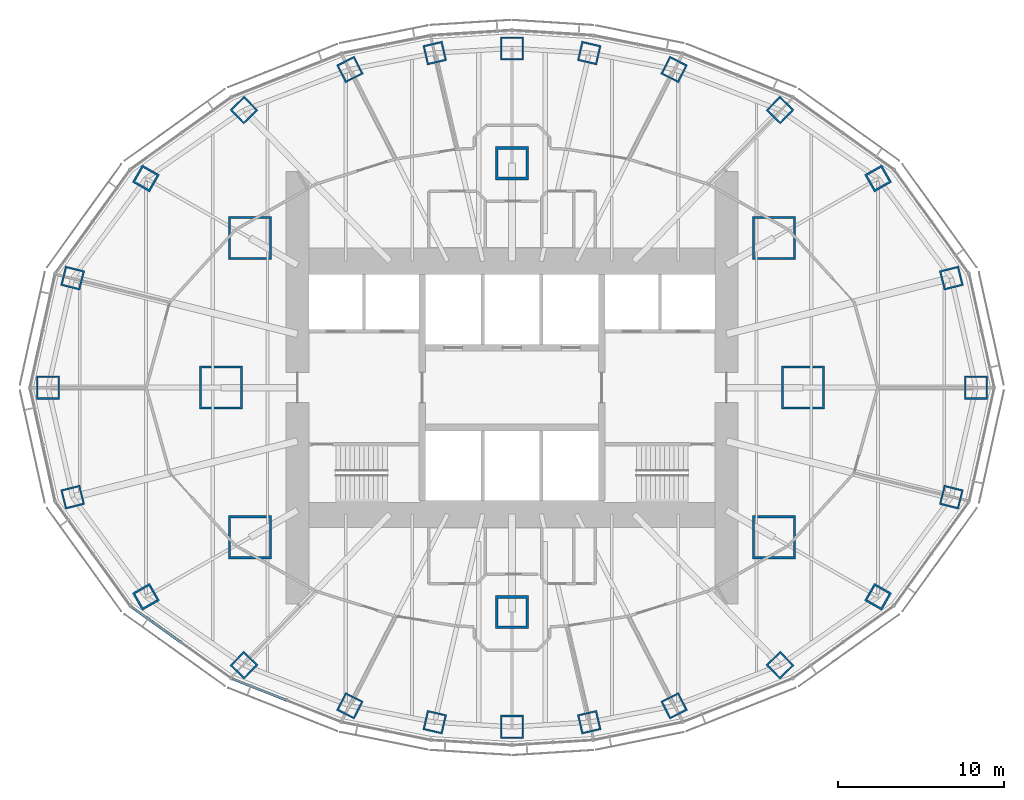
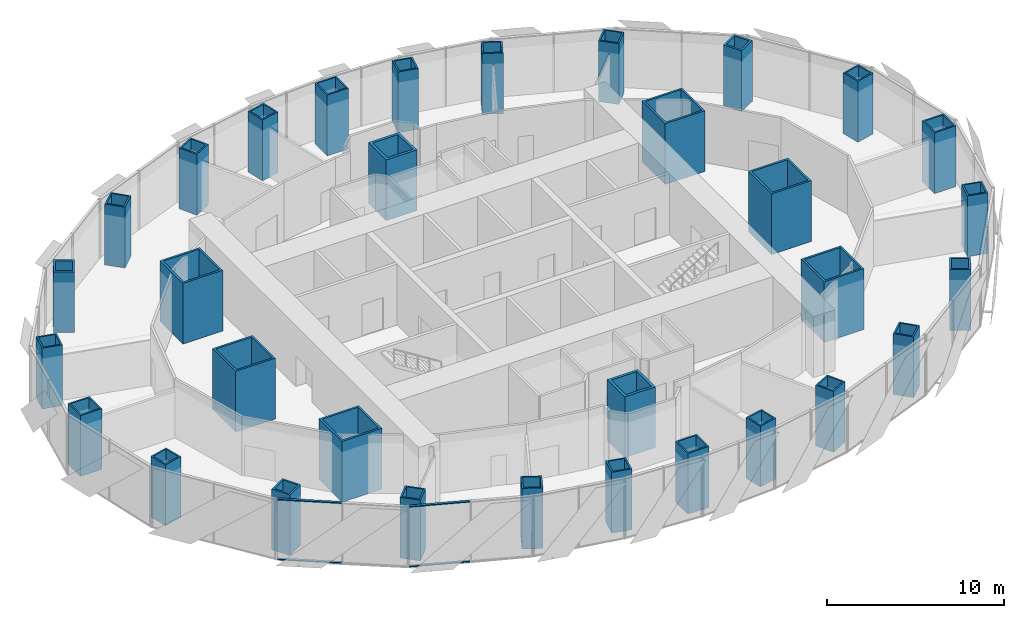
# One storey, part 1 of 18: 32 columns, 4 members, 2 elements without a shape of their own.
"""IFC4 building model written with IfcOpenShell, lengths in metres."""

from ifc_helpers import new_model, si_unit, direction, frame, origin, origin_2d, place, context, subcontext, project, spatial, rectangle, hollow_rectangle, extrude, material, material_profile, profile_set, type_object, element, aggregate, save


model = new_model("IFC4")

# Units and contexts
model_context = context("Model", 3, precision=1e-05, world=origin(), true_north=direction((0.0, 1.0)))
body_context = subcontext(model_context, "Body", "Model", "MODEL_VIEW")
ifc_project = project(units=[si_unit("LENGTHUNIT", "METRE"), si_unit("AREAUNIT", "SQUARE_METRE"), si_unit("VOLUMEUNIT", "CUBIC_METRE"), si_unit("PLANEANGLEUNIT", "RADIAN"), si_unit("MASSUNIT", "GRAM", prefix="KILO")], contexts=[model_context])

# Site, building, storey
site_placement = place(None, origin())
site = spatial("IfcSite", under=ifc_project, at=site_placement, CompositionType="ELEMENT")
building_placement = place(site_placement, origin())
building = spatial("IfcBuilding", under=site, at=building_placement, Name="Lantaw Convention Tower", CompositionType="ELEMENT")
storey_placement = place(building_placement, frame((0.0, 0.0, 167.800048828125)))
storey = spatial("IfcBuildingStorey", under=building, at=storey_placement, Name="L39", CompositionType="ELEMENT", Elevation=167.800048828125)

# Columns
ifc_material_1 = material(Name="Steel EN 10025-3 S460N", Category="steel")
ifc_material_profile_1 = material_profile(ifc_material_1, hollow_rectangle(XDim=2.0, YDim=2.0, WallThickness=0.169921875, at=origin_2d()), Name="BOX2000X170")
ifc_material_2 = material(Name="Concrete C60/75", Category="concrete")
ifc_material_profile_2 = material_profile(ifc_material_2, rectangle(XDim=1.659912109375, YDim=1.659912109375, at=origin_2d()), Name="Concrete fill of BOX2000X170")
ifc_profile_set_1 = profile_set([ifc_material_profile_1, ifc_material_profile_2], Name="Steel EN 10025-3 S460N")
column_type_1 = type_object("IfcColumnType", Name="Column MC BOX2000X170", PredefinedType="COLUMN", material=ifc_profile_set_1)
for number, where, z_axis, x_axis, name in (
    (1, (0.0, 13.5, 0.0), (0.0, 0.0, 1.0), (1.0, 0.0, 0.0), "Mega column M3"),
    (2, (0.0, -13.5, 0.0), (0.0, 0.0, 1.0), (1.0, 0.0, 0.0), "Mega column M7"),
):
    element("IfcColumn", number, at=place(storey_placement, frame(where, z_axis=z_axis, x_axis=x_axis)), inside=storey, type_object=column_type_1, Name=name, PredefinedType="COLUMN", context=body_context, shape_type="SweptSolid", body=[
        extrude(hollow_rectangle(XDim=2.0, YDim=2.0, WallThickness=0.169921875, at=origin_2d()), origin(), (0.0, 0.0, 1.0), 4.199951171875),
    ])
ifc_material_profile_3 = material_profile(ifc_material_1, hollow_rectangle(XDim=2.60009765625, YDim=2.60009765625, WallThickness=0.1298828125, at=origin_2d()), Name="BOX2600X130")
ifc_material_profile_4 = material_profile(ifc_material_2, rectangle(XDim=2.340087890625, YDim=2.340087890625, at=origin_2d()), Name="Concrete fill of BOX2600X130")
ifc_profile_set_2 = profile_set([ifc_material_profile_3, ifc_material_profile_4], Name="Steel EN 10025-3 S460N")
column_type_2 = type_object("IfcColumnType", Name="Column MC BOX2600X130", PredefinedType="COLUMN", material=ifc_profile_set_2)
for number, where, z_axis, x_axis, name in (
    (3, (17.5, 0.0, 0.0), (0.0, 0.0, 1.0), (1.0, 0.0, 0.0), "Mega column M1"),
    (4, (15.75, 9.0, 0.0), (0.0, 0.0, 1.0), (1.0, 0.0, 0.0), "Mega column M2"),
    (5, (-15.75, 9.0, 0.0), (0.0, 0.0, 1.0), (1.0, 0.0, 0.0), "Mega column M4"),
    (6, (-17.5, 0.0, 0.0), (0.0, 0.0, 1.0), (1.0, 0.0, 0.0), "Mega column M5"),
    (7, (-15.75, -9.0, 0.0), (0.0, 0.0, 1.0), (1.0, 0.0, 0.0), "Mega column M6"),
    (8, (15.75, -9.0, 0.0), (0.0, 0.0, 1.0), (1.0, 0.0, 0.0), "Mega column M8"),
):
    element("IfcColumn", number, at=place(storey_placement, frame(where, z_axis=z_axis, x_axis=x_axis)), inside=storey, type_object=column_type_2, Name=name, PredefinedType="COLUMN", context=body_context, shape_type="SweptSolid", body=[
        extrude(hollow_rectangle(XDim=2.60009765625, YDim=2.60009765625, WallThickness=0.1298828125, at=origin_2d()), origin(), (0.0, 0.0, 1.0), 4.199951171875),
    ])
ifc_material_profile_5 = material_profile(ifc_material_1, hollow_rectangle(XDim=1.199951171875, YDim=1.199951171875, WallThickness=0.10009765625, at=origin_2d()), Name="BOX1200X100")
ifc_material_profile_6 = material_profile(ifc_material_2, rectangle(XDim=1.0, YDim=1.0, at=origin_2d()), Name="Concrete fill of BOX1200X100")
ifc_profile_set_3 = profile_set([ifc_material_profile_5, ifc_material_profile_6], Name="Steel EN 10025-3 S460N")
column_type_3 = type_object("IfcColumnType", Name="Column PC BOX1200X100", PredefinedType="COLUMN", material=ifc_profile_set_3)
for number, where, z_axis, x_axis, name in (
    (9, (26.419921875, 6.587158203125, 0.0), (0.0, 0.0, 1.0), (0.970295726276, 0.2419218956, 0.0), "Perimeter column P2"),
    (10, (16.11767578125, 16.690185546875, 0.0), (0.0, 0.0, 1.0), (0.694658370459, 0.719339800339, 0.0), "Perimeter column P4"),
    (11, (9.74853515625, 19.1328125, 0.0), (0.0, 0.0, 1.0), (0.45399049974, 0.891006524188, 0.0), "Perimeter column P5"),
    (12, (4.64501953125, 20.1201171875, 0.0), (0.0, 0.0, 1.0), (0.224951054344, 0.974370064785, 0.0), "Perimeter column P6"),
    (13, (-4.64501953125, 20.1201171875, 0.0), (0.0, 0.0, 1.0), (0.974370064785, 0.224951054344, 0.0), "Perimeter column P8"),
    (14, (-9.74853515625, 19.1328125, 0.0), (0.0, 0.0, 1.0), (0.891006524188, 0.45399049974, 0.0), "Perimeter column P9"),
    (15, (-16.11767578125, 16.690185546875, 0.0), (0.0, 0.0, 1.0), (0.719339800339, 0.694658370459, 0.0), "Perimeter column P10"),
    (16, (-26.419921875, 6.587158203125, 0.0), (0.0, 0.0, 1.0), (0.2419218956, 0.970295726276, 0.0), "Perimeter column P12"),
    (17, (-26.419921875, -6.587158203125, 0.0), (0.0, 0.0, 1.0), (0.970295726276, 0.2419218956, 0.0), "Perimeter column P14"),
    (18, (-16.11767578125, -16.690185546875, 0.0), (0.0, 0.0, 1.0), (0.694658370459, 0.719339800339, 0.0), "Perimeter column P16"),
    (19, (-9.74853515625, -19.1328125, 0.0), (0.0, 0.0, 1.0), (0.45399049974, 0.891006524188, 0.0), "Perimeter column P17"),
    (20, (-4.64501953125, -20.1201171875, 0.0), (0.0, 0.0, 1.0), (0.224951054344, 0.974370064785, 0.0), "Perimeter column P18"),
    (21, (4.64501953125, -20.1201171875, 0.0), (0.0, 0.0, 1.0), (0.974370064785, 0.224951054344, 0.0), "Perimeter column P20"),
    (22, (9.74853515625, -19.1328125, 0.0), (0.0, 0.0, 1.0), (0.891006524188, 0.45399049974, 0.0), "Perimeter column P21"),
    (23, (16.11767578125, -16.690185546875, 0.0), (0.0, 0.0, 1.0), (0.719339800339, 0.694658370459, 0.0), "Perimeter column P22"),
    (24, (26.419921875, -6.587158203125, 0.0), (0.0, 0.0, 1.0), (0.2419218956, 0.970295726276, 0.0), "Perimeter column P24"),
):
    element("IfcColumn", number, at=place(storey_placement, frame(where, z_axis=z_axis, x_axis=x_axis)), inside=storey, type_object=column_type_3, Name=name, PredefinedType="COLUMN", context=body_context, shape_type="SweptSolid", body=[
        extrude(hollow_rectangle(XDim=1.199951171875, YDim=1.199951171875, WallThickness=0.10009765625, at=origin_2d()), origin(), (0.0, 0.0, 1.0), 4.199951171875),
    ])
ifc_material_profile_7 = material_profile(ifc_material_1, hollow_rectangle(XDim=1.199951171875, YDim=1.199951171875, WallThickness=0.1201171875, at=origin_2d()), Name="BOX1200X120")
ifc_material_profile_8 = material_profile(ifc_material_2, rectangle(XDim=0.9599609375, YDim=0.9599609375, at=origin_2d()), Name="Concrete fill of BOX1200X120")
ifc_profile_set_4 = profile_set([ifc_material_profile_7, ifc_material_profile_8], Name="Steel EN 10025-3 S460N")
column_type_4 = type_object("IfcColumnType", Name="Column PC BOX1200X120", PredefinedType="COLUMN", material=ifc_profile_set_4)
for number, where, z_axis, x_axis, name in (
    (25, (22.013916015625, 12.579345703125, 0.0), (0.0, 0.0, 1.0), (0.86824298017, 0.496139221777, 0.0), "Perimeter column P3"),
    (26, (-22.013916015625, 12.579345703125, 0.0), (0.0, 0.0, 1.0), (0.496139221777, 0.86824298017, 0.0), "Perimeter column P11"),
    (27, (-22.013916015625, -12.579345703125, 0.0), (0.0, 0.0, 1.0), (0.86824298017, 0.496139221777, 0.0), "Perimeter column P15"),
    (28, (22.013916015625, -12.579345703125, 0.0), (0.0, 0.0, 1.0), (0.496139221777, 0.86824298017, 0.0), "Perimeter column P23"),
):
    element("IfcColumn", number, at=place(storey_placement, frame(where, z_axis=z_axis, x_axis=x_axis)), inside=storey, type_object=column_type_4, Name=name, PredefinedType="COLUMN", context=body_context, shape_type="SweptSolid", body=[
        extrude(hollow_rectangle(XDim=1.199951171875, YDim=1.199951171875, WallThickness=0.1201171875, at=origin_2d()), origin(), (0.0, 0.0, 1.0), 4.199951171875),
    ])
ifc_material_profile_9 = material_profile(ifc_material_1, hollow_rectangle(XDim=1.39990234375, YDim=1.39990234375, WallThickness=0.10009765625, at=origin_2d()), Name="BOX1400X100")
ifc_material_profile_10 = material_profile(ifc_material_2, rectangle(XDim=1.199951171875, YDim=1.199951171875, at=origin_2d()), Name="Concrete fill of BOX1400X100")
ifc_profile_set_5 = profile_set([ifc_material_profile_9, ifc_material_profile_10], Name="Steel EN 10025-3 S460N")
column_type_5 = type_object("IfcColumnType", Name="Column PC BOX1400X100", PredefinedType="COLUMN", material=ifc_profile_set_5)
for number, where, z_axis, x_axis, name in (
    (29, (27.89990234375, 0.0, 0.0), (0.0, 0.0, 1.0), (1.0, 0.0, 0.0), "Perimeter column P1"),
    (30, (0.0, 20.39990234375, 0.0), (0.0, 0.0, 1.0), (1.0, 0.0, 0.0), "Perimeter column P7"),
    (31, (-27.89990234375, 0.0, 0.0), (0.0, 0.0, 1.0), (1.0, 0.0, 0.0), "Perimeter column P13"),
    (32, (0.0, -20.39990234375, 0.0), (0.0, 0.0, 1.0), (1.0, 0.0, 0.0), "Perimeter column P19"),
):
    element("IfcColumn", number, at=place(storey_placement, frame(where, z_axis=z_axis, x_axis=x_axis)), inside=storey, type_object=column_type_5, Name=name, PredefinedType="COLUMN", context=body_context, shape_type="SweptSolid", body=[
        extrude(hollow_rectangle(XDim=1.39990234375, YDim=1.39990234375, WallThickness=0.10009765625, at=origin_2d()), origin(), (0.0, 0.0, 1.0), 4.199951171875),
    ])

# Curtain wall, members
ifc_material_3 = material(Name="Aluminium framed curtain wall", Category="aluminium")
curtain_wall_type = type_object("IfcCurtainWallType", Name="Office curtain wall low rise, pale aluminium", PredefinedType="USERDEFINED", material=ifc_material_3)
curtain_wall_1_placement = place(storey_placement, origin())
curtain_wall_1 = element("IfcCurtainWall", 33, at=curtain_wall_1_placement, inside=storey, type_object=curtain_wall_type, Name="Office curtain wall low rise, pale aluminium L39", ObjectType="UNITISED CURTAIN WALL", PredefinedType="USERDEFINED")
ifc_material_4 = material(Name="Aluminium 6063-T6", Category="aluminium")
ifc_material_profile_11 = material_profile(ifc_material_4, rectangle(XDim=0.159912109375, YDim=0.06494140625, at=origin_2d()), Name="CW-O1 transom 65x160")
ifc_profile_set_6 = profile_set([ifc_material_profile_11], Name="Aluminium 6063-T6")
member_type = type_object("IfcMemberType", Name="CW-O1 transom 65x160", PredefinedType="USERDEFINED", material=ifc_profile_set_6)
member_1_placement = place(storey_placement, frame((-22.916259765625, -13.1630859375, -0.117431640625), z_axis=(0.813221785972, -0.581953887194, 0.0), x_axis=(0.581953887194, 0.813221785972, 0.0)))
member_1 = element("IfcMember", 34, at=member_1_placement, type_object=member_type, Name="CW-O1 transom 1.1", ObjectType="TRANSOM", PredefinedType="USERDEFINED", context=body_context, shape_type="SweptSolid", body=[
    extrude(rectangle(XDim=0.159912109375, YDim=0.06494140625, at=origin_2d()), origin(), (0.0, 0.0, 1.0), 3.645263671875),
])
member_2_placement = place(storey_placement, frame((-22.916259765625, -13.1630859375, 4.017333984375), z_axis=(0.813221785972, -0.581953887194, 0.0), x_axis=(0.581953887194, 0.813221785972, 0.0)))
member_2 = element("IfcMember", 35, at=member_2_placement, type_object=member_type, Name="CW-O1 transom 1.2", ObjectType="TRANSOM", PredefinedType="USERDEFINED", context=body_context, shape_type="SweptSolid", body=[
    extrude(rectangle(XDim=0.159912109375, YDim=0.06494140625, at=origin_2d()), origin(), (0.0, 0.0, 1.0), 3.645263671875),
])
aggregate(curtain_wall_1, [member_1, member_2])

curtain_wall_2_placement = place(storey_placement, origin())
curtain_wall_2 = element("IfcCurtainWall", 36, at=curtain_wall_2_placement, inside=storey, type_object=curtain_wall_type, Name="Office curtain wall low rise, pale aluminium L39", ObjectType="UNITISED CURTAIN WALL", PredefinedType="USERDEFINED")
member_3_placement = place(storey_placement, frame((-16.8212890625, -17.505615234375, -0.117431640625), z_axis=(0.929564188507, -0.368660303592, 0.0), x_axis=(0.368660303592, 0.929564188507, 0.0)))
member_3 = element("IfcMember", 37, at=member_3_placement, type_object=member_type, Name="CW-O1 transom 1.1", ObjectType="TRANSOM", PredefinedType="USERDEFINED", context=body_context, shape_type="SweptSolid", body=[
    extrude(rectangle(XDim=0.159912109375, YDim=0.06494140625, at=origin_2d()), origin(), (0.0, 0.0, 1.0), 3.470703125),
])
member_4_placement = place(storey_placement, frame((-16.8212890625, -17.505615234375, 4.017333984375), z_axis=(0.929564188507, -0.368660303592, 0.0), x_axis=(0.368660303592, 0.929564188507, 0.0)))
member_4 = element("IfcMember", 38, at=member_4_placement, type_object=member_type, Name="CW-O1 transom 1.2", ObjectType="TRANSOM", PredefinedType="USERDEFINED", context=body_context, shape_type="SweptSolid", body=[
    extrude(rectangle(XDim=0.159912109375, YDim=0.06494140625, at=origin_2d()), origin(), (0.0, 0.0, 1.0), 3.470703125),
])
aggregate(curtain_wall_2, [member_3, member_4])

save(model, "model.ifc")
